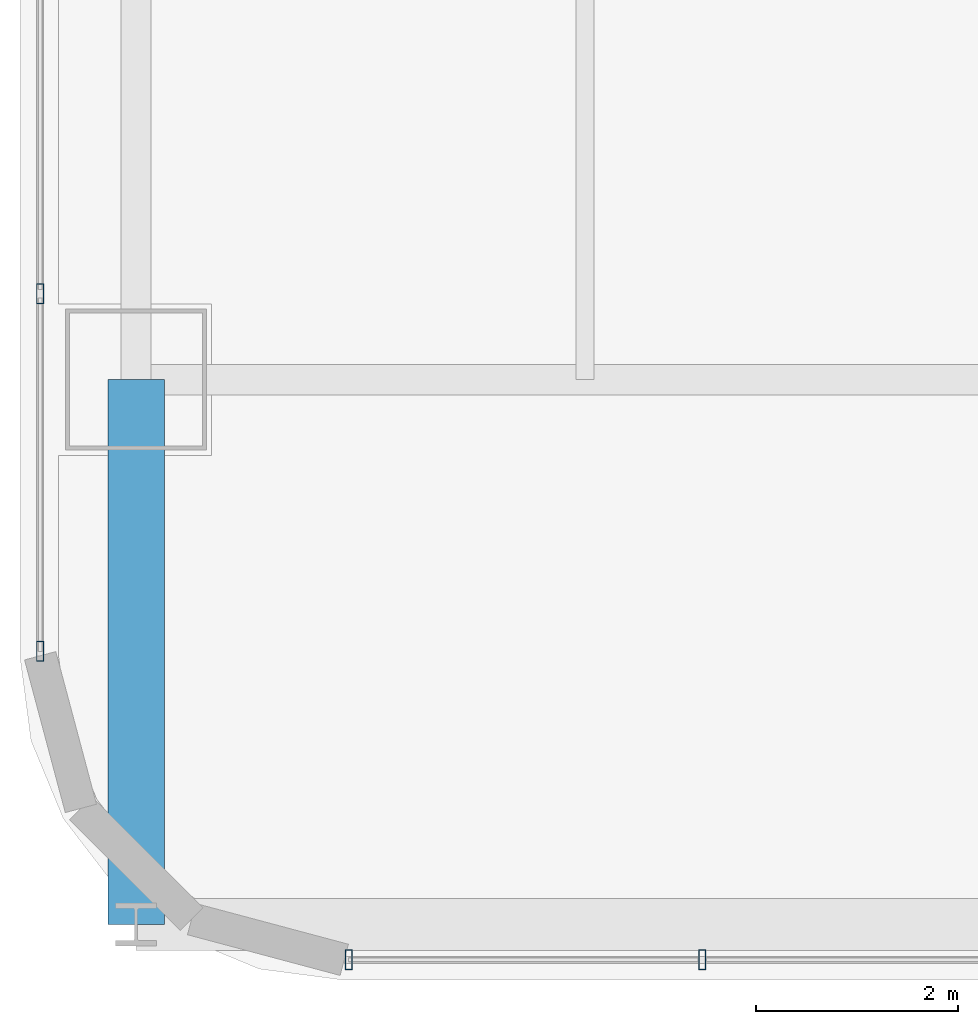
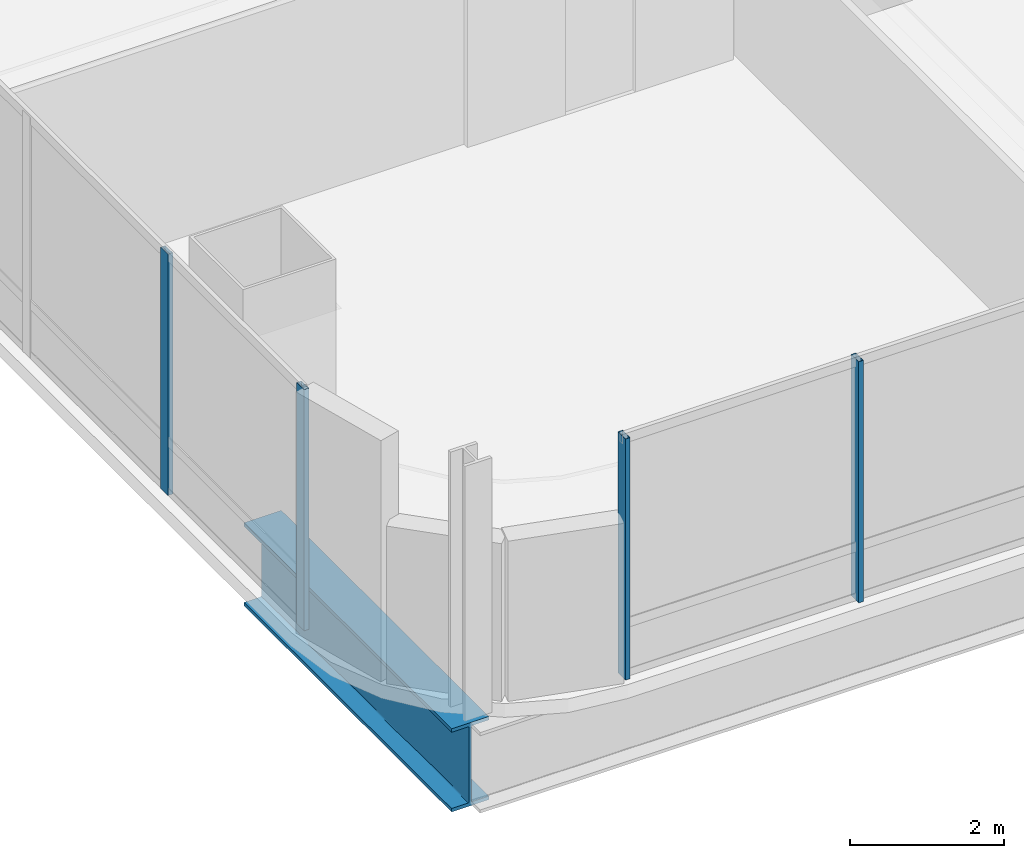
# One storey, part 2 of 36: 4 members, 1 beam, 2 elements without a shape of their own.
"""IFC4 building model written with IfcOpenShell, lengths in metres."""

from ifc_helpers import new_model, si_unit, direction, frame, origin, origin_2d, place, context, subcontext, project, spatial, hollow_rectangle, i_section, extrude, material, material_profile, profile_set, type_object, element, aggregate, save


model = new_model("IFC4")

# Units and contexts
model_context = context("Model", 3, precision=1e-05, world=origin(), true_north=direction((0.0, 1.0)))
body_context = subcontext(model_context, "Body", "Model", "MODEL_VIEW")
ifc_project = project(units=[si_unit("LENGTHUNIT", "METRE"), si_unit("AREAUNIT", "SQUARE_METRE"), si_unit("VOLUMEUNIT", "CUBIC_METRE"), si_unit("PLANEANGLEUNIT", "RADIAN"), si_unit("MASSUNIT", "GRAM", prefix="KILO")], contexts=[model_context])

# Site, building, storey
site_placement = place(None, origin())
site = spatial("IfcSite", under=ifc_project, at=site_placement, CompositionType="ELEMENT")
building_placement = place(site_placement, origin())
building = spatial("IfcBuilding", under=site, at=building_placement, Name="Punatoya Terracotta Tower", CompositionType="ELEMENT")
storey_placement = place(building_placement, frame((0.0, 0.0, 228.89990234375)))
storey = spatial("IfcBuildingStorey", under=building, at=storey_placement, Name="L54", CompositionType="ELEMENT", Elevation=228.89990234375)

# Beam
ifc_material_1 = material(Name="Steel S460", Category="steel")
ifc_material_profile_1 = material_profile(ifc_material_1, i_section(OverallWidth=0.56005859375, OverallDepth=1.320068359375, WebThickness=0.035888671875, FlangeThickness=0.054931640625, FilletRadius=0.01806640625, at=origin_2d()))
ifc_profile_set_1 = profile_set([ifc_material_profile_1], Name="Steel S460")
beam_type = type_object("IfcBeamType", Name="BM-TG-BLK", PredefinedType="BEAM", material=ifc_profile_set_1)
beam_placement = place(storey_placement, frame((-19.10009765625, -22.89990234375, -0.8798828125), z_axis=(0.0, 1.0, 0.0), x_axis=(-1.0, 0.0, 0.0)))
element("IfcBeam", 1, at=beam_placement, inside=storey, type_object=beam_type, Name="BM-L54-CANT-S1", PredefinedType="BEAM", context=body_context, shape_type="SweptSolid", body=[
    extrude(i_section(OverallWidth=0.56005859375, OverallDepth=1.320068359375, WebThickness=0.035888671875, FlangeThickness=0.054931640625, FilletRadius=0.01806640625, at=origin_2d()), origin(), (0.0, 0.0, 1.0), 5.39990234375),
])

# Curtain wall, members
ifc_material_2 = material(Name="Aluminium 6063-T6 + Double Low-E Glass", Category="aluminium")
curtain_wall_type = type_object("IfcCurtainWallType", Name="CW-M2", PredefinedType="NOTDEFINED", material=ifc_material_2)
curtain_wall_1_placement = place(storey_placement, origin())
curtain_wall_1 = element("IfcCurtainWall", 2, at=curtain_wall_1_placement, inside=storey, type_object=curtain_wall_type, Name="L54 Curtain Wall CW-L54-S01-1", PredefinedType="NOTDEFINED")
ifc_material_3 = material(Name="Aluminium 6063-T6", Category="aluminium")
ifc_material_profile_2 = material_profile(ifc_material_3, hollow_rectangle(XDim=0.072021484375, YDim=0.195068359375, WallThickness=0.00439453125, at=origin_2d()))
ifc_profile_set_2 = profile_set([ifc_material_profile_2], Name="Aluminium 6063-T6")
member_type = type_object("IfcMemberType", Name="CW-MUL-M2", PredefinedType="MULLION", material=ifc_profile_set_2)
member_1_placement = place(storey_placement, frame((-16.991943359375, -23.25, 0.0), z_axis=(0.0, 0.0, 1.0), x_axis=(1.0, 0.0, 0.0)))
member_1 = element("IfcMember", 3, at=member_1_placement, type_object=member_type, Name="CW-L54-S01-1 Mullion 00", PredefinedType="MULLION", context=body_context, shape_type="SweptSolid", body=[
    extrude(hollow_rectangle(XDim=0.072021484375, YDim=0.195068359375, WallThickness=0.00439453125, at=origin_2d()), origin(), (0.0, 0.0, 1.0), 3.830078125),
])
member_2_placement = place(storey_placement, frame((-13.48828125, -23.25, 0.0), z_axis=(0.0, 0.0, 1.0), x_axis=(1.0, 0.0, 0.0)))
member_2 = element("IfcMember", 4, at=member_2_placement, type_object=member_type, Name="CW-L54-S01-1 Mullion 01", PredefinedType="MULLION", context=body_context, shape_type="SweptSolid", body=[
    extrude(hollow_rectangle(XDim=0.072021484375, YDim=0.195068359375, WallThickness=0.00439453125, at=origin_2d()), origin(), (0.0, 0.0, 1.0), 3.830078125),
])
aggregate(curtain_wall_1, [member_1, member_2])

curtain_wall_2_placement = place(storey_placement, origin())
curtain_wall_2 = element("IfcCurtainWall", 5, at=curtain_wall_2_placement, inside=storey, type_object=curtain_wall_type, Name="L54 Curtain Wall CW-L54-W11-1", PredefinedType="NOTDEFINED")
member_3_placement = place(storey_placement, frame((-20.050048828125, -16.6494140625, 0.0), z_axis=(0.0, 0.0, 1.0), x_axis=(1.0, 0.0, 0.0)))
member_3 = element("IfcMember", 6, at=member_3_placement, type_object=member_type, Name="CW-L54-W11-1 Mullion 08", PredefinedType="MULLION", context=body_context, shape_type="SweptSolid", body=[
    extrude(hollow_rectangle(XDim=0.072021484375, YDim=0.195068359375, WallThickness=0.00439453125, at=origin_2d()), origin(), (0.0, 0.0, 1.0), 3.830078125),
])
member_4_placement = place(storey_placement, frame((-20.050048828125, -20.19189453125, 0.0), z_axis=(0.0, 0.0, 1.0), x_axis=(1.0, 0.0, 0.0)))
member_4 = element("IfcMember", 7, at=member_4_placement, type_object=member_type, Name="CW-L54-W11-1 Mullion 09", PredefinedType="MULLION", context=body_context, shape_type="SweptSolid", body=[
    extrude(hollow_rectangle(XDim=0.072021484375, YDim=0.195068359375, WallThickness=0.00439453125, at=origin_2d()), origin(), (0.0, 0.0, 1.0), 3.830078125),
])
aggregate(curtain_wall_2, [member_3, member_4])

save(model, "model.ifc")
